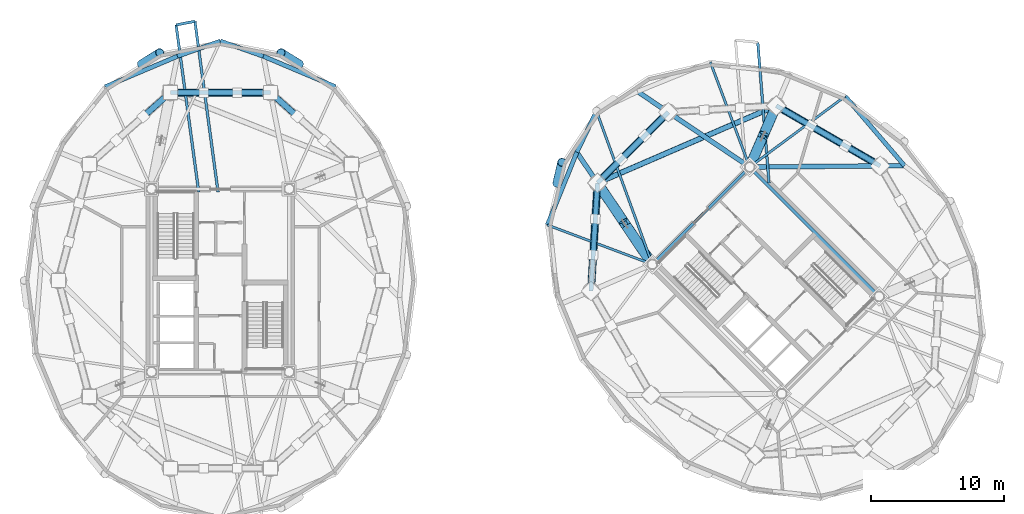
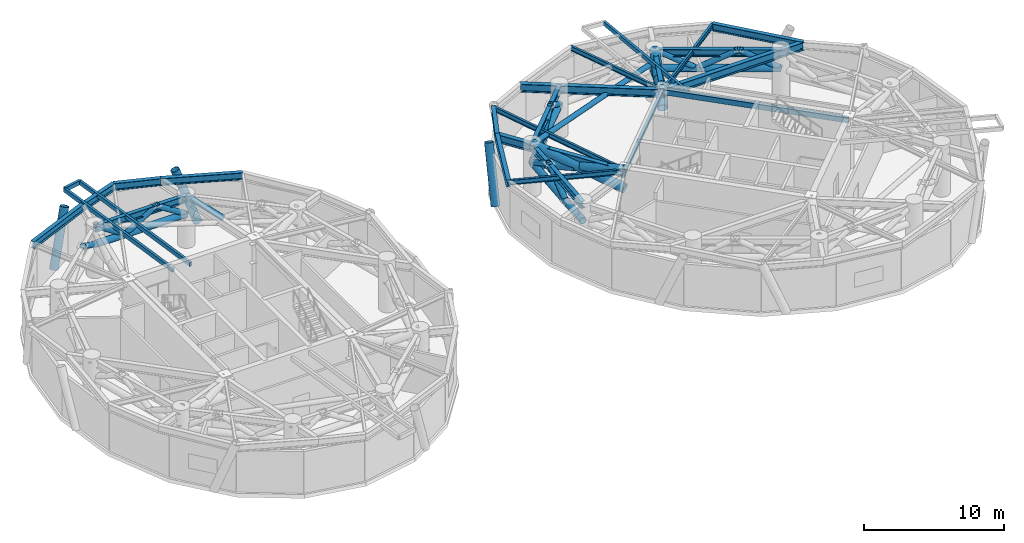
# One storey, part 4 of 16: 27 members, 25 beams.
"""IFC4 building model written with IfcOpenShell, lengths in metres."""

import ifcopenshell
import ifcopenshell.guid

model = None  # the IFC model being written
_history = None  # IfcOwnerHistory: only IFC2X3 demands one
_inside = {}  # id of a spatial element -> (the spatial element, [elements in it])
_under = {}  # id of a project, library or spatial element -> (it, [spatial elements below it])
_declared = {}  # id of a project -> (the project, [libraries it declares])
_typed = {}  # id of a type object -> (the type object, [elements of that type])
_made_of = {}  # id of a material, layer set ... -> (it, [elements and type objects made of it])


def new_model(schema):
    """Start an empty IFC model of exactly this schema.

    Asked for "IFC4X3", IfcOpenShell would pick the latest addendum, in which some entities
    have other attributes; the version numbers below select the first issue.
    IFC2X3 requires an IfcOwnerHistory on every rooted entity: one is made here for all.
    """
    global model, _history
    if schema == "IFC4X3":
        model = ifcopenshell.file(schema_version=(4, 3, 0, 0))
    else:
        model = ifcopenshell.file(schema=schema)
    _inside.clear()
    _under.clear()
    _declared.clear()
    _typed.clear()
    _made_of.clear()
    _history = None
    if model.schema == "IFC2X3":
        org = make("IfcOrganization", Name="unknown")
        user = make(
            "IfcPersonAndOrganization",
            ThePerson=make("IfcPerson", FamilyName="unknown"),
            TheOrganization=org,
        )
        app = make(
            "IfcApplication",
            ApplicationDeveloper=org,
            Version="unknown",
            ApplicationFullName="unknown",
            ApplicationIdentifier="unknown",
        )
        _history = make(
            "IfcOwnerHistory",
            OwningUser=user,
            OwningApplication=app,
            ChangeAction="ADDED",
            CreationDate=0,
        )
    return model


def make(cls, **values):
    """One entity of the class cls with the attributes given. An attribute that is None is left unset."""
    return model.create_entity(
        cls, **{name: value for name, value in values.items() if value is not None}
    )


def rooted(cls, **values):
    """An entity with a GlobalId (a new one), such as an element, a storey or a relation."""
    return make(cls, GlobalId=ifcopenshell.guid.new(), OwnerHistory=_history, **values)


def si_unit(unit_type, name, prefix=None):
    """IfcSIUnit, for example si_unit("LENGTHUNIT", "METRE", prefix="MILLI")."""
    return make("IfcSIUnit", UnitType=unit_type, Prefix=prefix, Name=name)


def assignment(units):
    """IfcUnitAssignment: the units of a project."""
    return None if units is None else make("IfcUnitAssignment", Units=units)


def point(xyz):
    """IfcCartesianPoint."""
    return None if xyz is None else make("IfcCartesianPoint", Coordinates=xyz)


def direction(xyz):
    """IfcDirection."""
    return None if xyz is None else make("IfcDirection", DirectionRatios=xyz)


def frame(location, z_axis=None, x_axis=None):
    """IfcAxis2Placement3D, a coordinate frame: its origin and axes. An axis left out is left unset."""
    return make(
        "IfcAxis2Placement3D",
        Location=point(location),
        Axis=direction(z_axis),
        RefDirection=direction(x_axis),
    )


def frame_2d(location, x_axis=None):
    """IfcAxis2Placement2D, a coordinate frame in the plane: its origin and x axis."""
    return make(
        "IfcAxis2Placement2D", Location=point(location), RefDirection=direction(x_axis)
    )


def origin():
    """The frame at (0, 0, 0) with its axes left unset."""
    return frame((0.0, 0.0, 0.0))


def origin_2d():
    """The frame at (0, 0) in the plane with its x axis left unset."""
    return frame_2d((0.0, 0.0))


def place(relative_to, where):
    """IfcLocalPlacement: puts the frame where relative to a parent placement (None: the world)."""
    return make(
        "IfcLocalPlacement", PlacementRelTo=relative_to, RelativePlacement=where
    )


def context(
    kind, dimensions, precision=None, world=None, true_north=None, identifier=None
):
    """IfcGeometricRepresentationContext, for example the 3D "Model" context."""
    return make(
        "IfcGeometricRepresentationContext",
        ContextIdentifier=identifier,
        ContextType=kind,
        CoordinateSpaceDimension=dimensions,
        Precision=precision,
        WorldCoordinateSystem=world,
        TrueNorth=true_north,
    )


def subcontext(parent, identifier, kind, view, scale=None):
    """IfcGeometricRepresentationSubContext, for example "Body" below "Model"."""
    return make(
        "IfcGeometricRepresentationSubContext",
        ContextIdentifier=identifier,
        ContextType=kind,
        ParentContext=parent,
        TargetScale=scale,
        TargetView=view,
    )


def project(units=None, contexts=None):
    """IfcProject with its units and contexts."""
    return rooted(
        "IfcProject",
        Name="project",
        RepresentationContexts=contexts,
        UnitsInContext=assignment(units),
    )


def spatial(cls, under=None, at=None, **own):
    """A site, building, storey or space (cls), placed at a placement, below another one or the project."""
    s = rooted(cls, ObjectPlacement=at, **own)
    if under is not None:
        _under.setdefault(under.id(), (under, []))[1].append(s)
    return s


def profile(cls, at=None, kind="AREA", **sizes):
    """A parametric profile (cls). Its sizes go by their IFC names, for example OverallWidth=200.0."""
    return make(cls, ProfileType=kind, Position=at, **sizes)


def hollow_rectangle(**sizes):
    """IfcRectangleHollowProfileDef."""
    return profile("IfcRectangleHollowProfileDef", **sizes)


def hollow_circle(**sizes):
    """IfcCircleHollowProfileDef."""
    return profile("IfcCircleHollowProfileDef", **sizes)


def i_section(**sizes):
    """IfcIShapeProfileDef."""
    return profile("IfcIShapeProfileDef", **sizes)


def extrude(swept, where, along, depth):
    """IfcExtrudedAreaSolid: the profile swept, set in the frame where, extruded along a direction by depth."""
    return make(
        "IfcExtrudedAreaSolid",
        SweptArea=swept,
        Position=where,
        ExtrudedDirection=direction(along),
        Depth=depth,
    )


def shape(context_of_items, identifier, shape_type, items):
    """IfcShapeRepresentation: the items that make up one representation, for example the "Body"."""
    return make(
        "IfcShapeRepresentation",
        ContextOfItems=context_of_items,
        RepresentationIdentifier=identifier,
        RepresentationType=shape_type,
        Items=items,
    )


def material(Name=None, Category=None):
    """IfcMaterial."""
    return make("IfcMaterial", Name=Name, Category=Category)


def material_profile(
    of_material, cross_section, Name=None, Category=None, Priority=None
):
    """IfcMaterialProfile: a cross section and its material."""
    return make(
        "IfcMaterialProfile",
        Name=Name,
        Material=of_material,
        Profile=cross_section,
        Priority=Priority,
        Category=Category,
    )


def profile_set(profiles, Name=None, composite=None):
    """IfcMaterialProfileSet."""
    return make(
        "IfcMaterialProfileSet",
        Name=Name,
        MaterialProfiles=profiles,
        CompositeProfile=composite,
    )


def made_of(thing, what):
    """Note that an element or type object is made of a material, layer set ...; save() writes the relation."""
    if what is not None:
        _made_of.setdefault(what.id(), (what, []))[1].append(thing)
    return thing


def type_object(cls, material=None, **own):
    """A type object (cls), such as IfcWallType, which elements share."""
    return made_of(rooted(cls, **own), material)


def element(
    cls,
    number,
    at=None,
    inside=None,
    cuts=None,
    type_object=None,
    material=None,
    context=None,
    identifier="Body",
    shape_type=None,
    held_by="IfcProductDefinitionShape",
    body=None,
    shapes=None,
    **own,
):
    """One element of the class cls, such as IfcWall. Its Tag is "e" and its number.

    at: its placement. inside: the storey or other place that contains it. cuts: it is an
    opening in that element (IfcRelVoidsElement). A single representation is given by context,
    identifier, shape_type and body (its items); several are given by shapes. held_by: the class
    of the entity that holds the representations. save() writes the other relations.
    """
    e = rooted(cls, Tag="e%d" % number, ObjectPlacement=at, **own)
    if body is not None:
        shapes = [shape(context, identifier, shape_type, body)]
    if shapes is not None:
        e.Representation = make(held_by, Representations=shapes)
    if inside is not None:
        _inside.setdefault(inside.id(), (inside, []))[1].append(e)
    if cuts is not None:
        rooted(
            "IfcRelVoidsElement", RelatingBuildingElement=cuts, RelatedOpeningElement=e
        )
    if type_object is not None:
        _typed.setdefault(type_object.id(), (type_object, []))[1].append(e)
    return made_of(e, material)


def aggregate(whole, parts):
    """IfcRelAggregates: a whole, such as a stair, and the parts it consists of."""
    return rooted("IfcRelAggregates", RelatingObject=whole, RelatedObjects=parts)


def save(model, path):
    """Write the relations noted so far, then the file.

    IfcRelAggregates (storeys below a building ...), IfcRelContainedInSpatialStructure (elements
    in a storey), IfcRelDefinesByType, IfcRelAssociatesMaterial and IfcRelDeclares: one each for
    every whole, place, type object, material and project.
    """
    for whole, parts in _under.values():
        aggregate(whole, parts)
    for where, things in _inside.values():
        rooted(
            "IfcRelContainedInSpatialStructure",
            RelatedElements=things,
            RelatingStructure=where,
        )
    for kind, things in _typed.values():
        rooted("IfcRelDefinesByType", RelatedObjects=things, RelatingType=kind)
    for what, things in _made_of.values():
        rooted("IfcRelAssociatesMaterial", RelatedObjects=things, RelatingMaterial=what)
    for by, libraries in _declared.values():
        rooted("IfcRelDeclares", RelatingContext=by, RelatedDefinitions=libraries)
    model.write(path)


model = new_model("IFC4")

# Units and contexts
model_context = context("Model", 3, precision=1e-05, world=origin(), true_north=direction((0.0, 1.0)))
body_context = subcontext(model_context, "Body", "Model", "MODEL_VIEW")
ifc_project = project(units=[si_unit("LENGTHUNIT", "METRE"), si_unit("AREAUNIT", "SQUARE_METRE"), si_unit("VOLUMEUNIT", "CUBIC_METRE"), si_unit("PLANEANGLEUNIT", "RADIAN"), si_unit("MASSUNIT", "GRAM", prefix="KILO")], contexts=[model_context])

# Site, building, storey
site_placement = place(None, origin())
site = spatial("IfcSite", under=ifc_project, at=site_placement, CompositionType="ELEMENT")
building_placement = place(site_placement, origin())
building = spatial("IfcBuilding", under=site, at=building_placement, Name="Cununo Teusaquillo Station Towers", CompositionType="ELEMENT")
storey_placement = place(building_placement, frame((0.0, 0.0, 147.10009765625)))
storey = spatial("IfcBuildingStorey", under=building, at=storey_placement, Name="L46", CompositionType="ELEMENT", Elevation=147.10009765625)

# Beams
ifc_material_1 = material(Name="Steel EN 10025-2 S355J2", Category="steel")
ifc_material_profile_1 = material_profile(ifc_material_1, hollow_rectangle(XDim=0.199951171875, YDim=0.35009765625, WallThickness=0.013916015625, at=origin_2d()), Name="RHS 350x200x14")
ifc_profile_set_1 = profile_set([ifc_material_profile_1], Name="Steel EN 10025-2 S355J2")
beam_type_1 = type_object("IfcBeamType", Name="BM-BAL-CANT", PredefinedType="BEAM", material=ifc_profile_set_1)
beam_1_placement = place(storey_placement, frame((16.325439453125, 31.14990234375, 4.10498046875), z_axis=(-0.13427925042, 0.990943531644, 0.0), x_axis=(-0.990943531644, -0.13427925042, 0.0)))
element("IfcBeam", 1, at=beam_1_placement, inside=storey, type_object=beam_type_1, Name="L46 Tower A Balcony Cantilever Bracket 1A", PredefinedType="BEAM", context=body_context, shape_type="SweptSolid", body=[
    extrude(hollow_rectangle(XDim=0.199951171875, YDim=0.35009765625, WallThickness=0.013916015625, at=origin_2d()), origin(), (0.0, 0.0, 1.0), 12.947021484375),
])
beam_2_placement = place(storey_placement, frame((14.872314453125, 31.14990234375, 4.10498046875), z_axis=(-0.134274846508, 0.990944128392, 0.0), x_axis=(-0.990944128392, -0.134274846508, 0.0)))
element("IfcBeam", 2, at=beam_2_placement, inside=storey, type_object=beam_type_1, Name="L46 Tower A Balcony Cantilever Bracket 1B", PredefinedType="BEAM", context=body_context, shape_type="SweptSolid", body=[
    extrude(hollow_rectangle(XDim=0.199951171875, YDim=0.35009765625, WallThickness=0.013916015625, at=origin_2d()), origin(), (0.0, 0.0, 1.0), 12.671142578125),
])
beam_3_placement = place(storey_placement, frame((57.74853515625, 31.8173828125, 4.10498046875), z_axis=(-0.079442545434, 0.996839446438, 0.0), x_axis=(-0.996839446438, -0.079442545434, 0.0)))
element("IfcBeam", 3, at=beam_3_placement, inside=storey, type_object=beam_type_1, Name="L46 Tower B Balcony Cantilever Bracket 1A", PredefinedType="BEAM", context=body_context, shape_type="SweptSolid", body=[
    extrude(hollow_rectangle(XDim=0.199951171875, YDim=0.35009765625, WallThickness=0.013916015625, at=origin_2d()), origin(), (0.0, 0.0, 1.0), 10.611572265625),
])
ifc_material_2 = material(Name="Steel EN 10025-2 S355J2", Category="steel")
ifc_material_profile_2 = material_profile(ifc_material_2, hollow_rectangle(XDim=0.25, YDim=0.449951171875, WallThickness=0.01611328125, at=origin_2d()), Name="RHS 450x250x16")
ifc_profile_set_2 = profile_set([ifc_material_profile_2], Name="Steel EN 10025-2 S355J2")
beam_type_2 = type_object("IfcBeamType", Name="BM-COUP-1", PredefinedType="USERDEFINED", material=ifc_profile_set_2)
beam_4_placement = place(storey_placement, frame((66.024169921875, 23.29443359375, 4.054931640625), z_axis=(-0.707106781187, 0.707106781187, 0.0), x_axis=(-0.707106781187, -0.707106781187, 0.0)))
element("IfcBeam", 4, at=beam_4_placement, inside=storey, type_object=beam_type_2, Name="L46 Tower B Core Beam 2", ObjectType="COUPLING BEAM", PredefinedType="USERDEFINED", context=body_context, shape_type="SweptSolid", body=[
    extrude(hollow_rectangle(XDim=0.25, YDim=0.449951171875, WallThickness=0.01611328125, at=origin_2d()), origin(), (0.0, 0.0, 1.0), 13.760009765625),
])
ifc_material_3 = material(Name="Steel ASTM A572 Grade 50", Category="steel")
ifc_material_profile_3 = material_profile(ifc_material_3, i_section(OverallWidth=0.180908203125, OverallDepth=0.4169921875, WebThickness=0.010986328125, FlangeThickness=0.018310546875, FilletRadius=0.012939453125, at=origin_2d()), Name="W16X57")
ifc_profile_set_3 = profile_set([ifc_material_profile_3], Name="Steel ASTM A572 Grade 50")
beam_type_3 = type_object("IfcBeamType", Name="BM-JOIST-1", PredefinedType="JOIST", material=ifc_profile_set_3)
beam_5_placement = place(storey_placement, frame((56.29443359375, 33.024169921875, 4.0712890625), z_axis=(0.803848430471, 0.594834179272, 0.0), x_axis=(-0.594834179272, 0.803848430471, 0.0)))
element("IfcBeam", 5, at=beam_5_placement, inside=storey, type_object=beam_type_3, Name="L46 Tower B Radial Spandrel Joist V01", PredefinedType="JOIST", context=body_context, shape_type="SweptSolid", body=[
    extrude(i_section(OverallWidth=0.180908203125, OverallDepth=0.4169921875, WebThickness=0.010986328125, FlangeThickness=0.018310546875, FilletRadius=0.012939453125, at=origin_2d()), origin(), (0.0, 0.0, 1.0), 8.936767578125),
])
beam_6_placement = place(storey_placement, frame((56.29443359375, 33.024169921875, 4.0712890625), z_axis=(-0.351348805076, 0.936244635323, 0.0), x_axis=(-0.936244635323, -0.351348805076, 0.0)))
element("IfcBeam", 6, at=beam_6_placement, inside=storey, type_object=beam_type_3, Name="L46 Tower B Radial Spandrel Joist V03", PredefinedType="JOIST", context=body_context, shape_type="SweptSolid", body=[
    extrude(i_section(OverallWidth=0.180908203125, OverallDepth=0.4169921875, WebThickness=0.010986328125, FlangeThickness=0.018310546875, FilletRadius=0.012939453125, at=origin_2d()), origin(), (0.0, 0.0, 1.0), 8.4287109375),
])
beam_7_placement = place(storey_placement, frame((48.975830078125, 25.70556640625, 4.0712890625), z_axis=(-0.34241791496, 0.939547748395, 0.0), x_axis=(-0.939547748395, -0.34241791496, 0.0)))
element("IfcBeam", 7, at=beam_7_placement, inside=storey, type_object=beam_type_3, Name="L46 Tower B Radial Spandrel Joist V05", PredefinedType="JOIST", context=body_context, shape_type="SweptSolid", body=[
    extrude(i_section(OverallWidth=0.180908203125, OverallDepth=0.4169921875, WebThickness=0.010986328125, FlangeThickness=0.018310546875, FilletRadius=0.012939453125, at=origin_2d()), origin(), (0.0, 0.0, 1.0), 12.25634765625),
])
beam_8_placement = place(storey_placement, frame((48.975830078125, 25.70556640625, 4.0712890625), z_axis=(-0.936244635323, 0.351348805076, 0.0), x_axis=(-0.351348805076, -0.936244635323, 0.0)))
element("IfcBeam", 8, at=beam_8_placement, inside=storey, type_object=beam_type_3, Name="L46 Tower B Radial Spandrel Joist V07", PredefinedType="JOIST", context=body_context, shape_type="SweptSolid", body=[
    extrude(i_section(OverallWidth=0.180908203125, OverallDepth=0.4169921875, WebThickness=0.010986328125, FlangeThickness=0.018310546875, FilletRadius=0.012939453125, at=origin_2d()), origin(), (0.0, 0.0, 1.0), 8.4287109375),
])
ifc_material_4 = material(Name="Steel ASTM A572 Grade 50", Category="steel")
ifc_material_profile_4 = material_profile(ifc_material_4, i_section(OverallWidth=0.2041015625, OverallDepth=0.35009765625, WebThickness=0.008544921875, FlangeThickness=0.01513671875, FilletRadius=0.011962890625, at=origin_2d()), Name="W14X48")
ifc_profile_set_4 = profile_set([ifc_material_profile_4], Name="Steel ASTM A572 Grade 50")
beam_type_4 = type_object("IfcBeamType", Name="BM-LINTEL-1", PredefinedType="LINTEL", material=ifc_profile_set_4)
beam_9_placement = place(storey_placement, frame((48.975830078125, 25.70556640625, 4.10498046875), z_axis=(0.707106781187, 0.707106781187, 0.0), x_axis=(-0.707106781187, 0.707106781187, 0.0)))
element("IfcBeam", 9, at=beam_9_placement, inside=storey, type_object=beam_type_4, Name="L46 Tower B Core Beam 4", PredefinedType="LINTEL", context=body_context, shape_type="SweptSolid", body=[
    extrude(i_section(OverallWidth=0.2041015625, OverallDepth=0.35009765625, WebThickness=0.008544921875, FlangeThickness=0.01513671875, FilletRadius=0.011962890625, at=origin_2d()), origin(), (0.0, 0.0, 1.0), 10.35009765625),
])
ifc_material_5 = material(Name="Steel ASTM A572 Grade 50", Category="steel")
ifc_material_profile_5 = material_profile(ifc_material_5, i_section(OverallWidth=0.35498046875, OverallDepth=0.696044921875, WebThickness=0.015380859375, FlangeThickness=0.02490234375, FilletRadius=0.01806640625, at=origin_2d()), Name="W27X146")
ifc_profile_set_5 = profile_set([ifc_material_profile_5], Name="Steel ASTM A572 Grade 50")
beam_type_5 = type_object("IfcBeamType", Name="BM-PLNT-G1", PredefinedType="BEAM", material=ifc_profile_set_5)
beam_10_placement = place(storey_placement, frame((56.29443359375, 33.024169921875, 3.931884765625), z_axis=(0.999964454788, 0.008431438866, 0.0), x_axis=(-0.008431438866, 0.999964454788, 0.0)))
element("IfcBeam", 10, at=beam_10_placement, inside=storey, type_object=beam_type_5, Name="L46 Tower B Continuous Overhanging Radial Girder 01", PredefinedType="BEAM", context=body_context, shape_type="SweptSolid", body=[
    extrude(i_section(OverallWidth=0.35498046875, OverallDepth=0.696044921875, WebThickness=0.015380859375, FlangeThickness=0.02490234375, FilletRadius=0.01806640625, at=origin_2d()), origin(), (0.0, 0.0, 1.0), 11.640380859375),
])
beam_11_placement = place(storey_placement, frame((56.29443359375, 33.024169921875, 3.931884765625), z_axis=(0.397346986387, 0.917668443616, 0.0), x_axis=(-0.917668443616, 0.397346986387, 0.0)))
element("IfcBeam", 11, at=beam_11_placement, inside=storey, type_object=beam_type_5, Name="L46 Tower B Radial Girder 02A", PredefinedType="BEAM", context=body_context, shape_type="SweptSolid", body=[
    extrude(i_section(OverallWidth=0.35498046875, OverallDepth=0.696044921875, WebThickness=0.015380859375, FlangeThickness=0.02490234375, FilletRadius=0.01806640625, at=origin_2d()), origin(), (0.0, 0.0, 1.0), 5.02490234375),
])
for number, where, z_axis, x_axis, name in (
    (12, (56.29443359375, 33.024169921875, 3.931884765625), (-0.829456923219, 0.558570687133, 0.0), (-0.558570687133, -0.829456923219, 0.0), "L46 Tower B Continuous Overhanging Radial Girder 03"),
    (13, (48.975830078125, 25.70556640625, 3.931884765625), (-0.558570687133, 0.829456923219, 0.0), (-0.829456923219, -0.558570687133, 0.0), "L46 Tower B Continuous Overhanging Radial Girder 04"),
):
    element("IfcBeam", number, at=place(storey_placement, frame(where, z_axis=z_axis, x_axis=x_axis)), inside=storey, type_object=beam_type_5, Name=name, PredefinedType="BEAM", context=body_context, shape_type="SweptSolid", body=[
        extrude(i_section(OverallWidth=0.35498046875, OverallDepth=0.696044921875, WebThickness=0.015380859375, FlangeThickness=0.02490234375, FilletRadius=0.01806640625, at=origin_2d()), origin(), (0.0, 0.0, 1.0), 10.1591796875),
    ])
ifc_material_6 = material(Name="Steel ASTM A572 Grade 50", Category="steel")
ifc_material_profile_6 = material_profile(ifc_material_6, i_section(OverallWidth=0.324951171875, OverallDepth=0.615966796875, WebThickness=0.013916015625, FlangeThickness=0.021484375, FilletRadius=0.01611328125, at=origin_2d()), Name="W24X117")
ifc_profile_set_6 = profile_set([ifc_material_profile_6], Name="Steel ASTM A572 Grade 50")
beam_type_6 = type_object("IfcBeamType", Name="BM-PLNT-G2", PredefinedType="BEAM", material=ifc_profile_set_6)
beam_12_placement = place(storey_placement, frame((20.261474609375, 38.623291015625, 3.971923828125), z_axis=(-1.0, 0.0, 0.0), x_axis=(0.0, -1.0, 0.0)))
element("IfcBeam", 14, at=beam_12_placement, inside=storey, type_object=beam_type_6, Name="L46 Tower A Structural Column Ring Girder 03", PredefinedType="BEAM", context=body_context, shape_type="SweptSolid", body=[
    extrude(i_section(OverallWidth=0.324951171875, OverallDepth=0.615966796875, WebThickness=0.013916015625, FlangeThickness=0.021484375, FilletRadius=0.01611328125, at=origin_2d()), origin(), (0.0, 0.0, 1.0), 7.52294921875),
])
beam_13_placement = place(storey_placement, frame((25.160888671875, 39.05419921875, 3.971923828125), z_axis=(-0.921042081118, 0.38946307246, 0.0), x_axis=(-0.38946307246, -0.921042081118, 0.0)))
element("IfcBeam", 15, at=beam_13_placement, inside=storey, type_object=beam_type_6, Name="L46 Tower A Spandrel Ring Beam 04", PredefinedType="BEAM", context=body_context, shape_type="SweptSolid", body=[
    extrude(i_section(OverallWidth=0.324951171875, OverallDepth=0.615966796875, WebThickness=0.013916015625, FlangeThickness=0.021484375, FilletRadius=0.01611328125, at=origin_2d()), origin(), (0.0, 0.0, 1.0), 5.8974609375),
])
for number, where, z_axis, x_axis, name in (
    (16, (19.72900390625, 41.35107421875, 3.971923828125), (-0.943057449198, 0.332629895698, 0.0), (-0.332629895698, -0.943057449198, 0.0), "L46 Tower A Spandrel Ring Beam 05"),
    (17, (16.5, 42.489990234375, 3.971923828125), (-0.943057449198, -0.332629895698, 0.0), (0.332629895698, -0.943057449198, 0.0), "L46 Tower A Spandrel Ring Beam 06"),
):
    element("IfcBeam", number, at=place(storey_placement, frame(where, z_axis=z_axis, x_axis=x_axis)), inside=storey, type_object=beam_type_6, Name=name, PredefinedType="BEAM", context=body_context, shape_type="SweptSolid", body=[
        extrude(i_section(OverallWidth=0.324951171875, OverallDepth=0.615966796875, WebThickness=0.013916015625, FlangeThickness=0.021484375, FilletRadius=0.01611328125, at=origin_2d()), origin(), (0.0, 0.0, 1.0), 3.424072265625),
    ])
beam_14_placement = place(storey_placement, frame((13.27099609375, 41.35107421875, 3.971923828125), z_axis=(-0.921042081118, -0.38946307246, 0.0), x_axis=(0.38946307246, -0.921042081118, 0.0)))
element("IfcBeam", 18, at=beam_14_placement, inside=storey, type_object=beam_type_6, Name="L46 Tower A Spandrel Ring Beam 07", PredefinedType="BEAM", context=body_context, shape_type="SweptSolid", body=[
    extrude(i_section(OverallWidth=0.324951171875, OverallDepth=0.615966796875, WebThickness=0.013916015625, FlangeThickness=0.021484375, FilletRadius=0.01611328125, at=origin_2d()), origin(), (0.0, 0.0, 1.0), 5.8974609375),
])
beam_15_placement = place(storey_placement, frame((66.10693359375, 33.10693359375, 3.971923828125), z_axis=(-0.865267103202, 0.501311121078, 0.0), x_axis=(-0.501311121078, -0.865267103202, 0.0)))
element("IfcBeam", 19, at=beam_15_placement, inside=storey, type_object=beam_type_6, Name="L46 Tower B Structural Column Ring Girder 01", PredefinedType="BEAM", context=body_context, shape_type="SweptSolid", body=[
    extrude(i_section(OverallWidth=0.324951171875, OverallDepth=0.615966796875, WebThickness=0.013916015625, FlangeThickness=0.021484375, FilletRadius=0.01611328125, at=origin_2d()), origin(), (0.0, 0.0, 1.0), 9.032958984375),
])
beam_16_placement = place(storey_placement, frame((50.173095703125, 37.146240234375, 3.971923828125), z_axis=(-0.707106781187, -0.707106781187, 0.0), x_axis=(0.707106781187, -0.707106781187, 0.0)))
element("IfcBeam", 20, at=beam_16_placement, inside=storey, type_object=beam_type_6, Name="L46 Tower B Structural Column Ring Girder 03", PredefinedType="BEAM", context=body_context, shape_type="SweptSolid", body=[
    extrude(i_section(OverallWidth=0.324951171875, OverallDepth=0.615966796875, WebThickness=0.013916015625, FlangeThickness=0.021484375, FilletRadius=0.01611328125, at=origin_2d()), origin(), (0.0, 0.0, 1.0), 7.522705078125),
])
beam_17_placement = place(storey_placement, frame((44.853759765625, 31.826904296875, 3.971923828125), z_axis=(-0.06012979176, -0.998190567048, 0.0), x_axis=(0.998190567048, -0.06012979176, 0.0)))
element("IfcBeam", 21, at=beam_17_placement, inside=storey, type_object=beam_type_6, Name="L46 Tower B Structural Column Ring Girder 04", PredefinedType="BEAM", context=body_context, shape_type="SweptSolid", body=[
    extrude(i_section(OverallWidth=0.324951171875, OverallDepth=0.615966796875, WebThickness=0.013916015625, FlangeThickness=0.021484375, FilletRadius=0.01611328125, at=origin_2d()), origin(), (0.0, 0.0, 1.0), 8.132568359375),
])
beam_18_placement = place(storey_placement, frame((67.934326171875, 33.122314453125, 3.971923828125), z_axis=(-0.64941898982, 0.760430782952, 0.0), x_axis=(-0.760430782952, -0.64941898982, 0.0)))
element("IfcBeam", 22, at=beam_18_placement, inside=storey, type_object=beam_type_6, Name="L46 Tower B Spandrel Ring Beam 01", PredefinedType="BEAM", context=body_context, shape_type="SweptSolid", body=[
    extrude(i_section(OverallWidth=0.324951171875, OverallDepth=0.615966796875, WebThickness=0.013916015625, FlangeThickness=0.021484375, FilletRadius=0.01611328125, at=origin_2d()), origin(), (0.0, 0.0, 1.0), 6.861572265625),
])
beam_19_placement = place(storey_placement, frame((44.779052734375, 37.220947265625, 3.971923828125), z_axis=(-0.431574069634, -0.902077503555, 0.0), x_axis=(0.902077503555, -0.431574069634, 0.0)))
element("IfcBeam", 23, at=beam_19_placement, inside=storey, type_object=beam_type_6, Name="L46 Tower B Spandrel Ring Beam 06", PredefinedType="BEAM", context=body_context, shape_type="SweptSolid", body=[
    extrude(i_section(OverallWidth=0.324951171875, OverallDepth=0.615966796875, WebThickness=0.013916015625, FlangeThickness=0.021484375, FilletRadius=0.01611328125, at=origin_2d()), origin(), (0.0, 0.0, 1.0), 3.424072265625),
])
beam_20_placement = place(storey_placement, frame((43.30126953125, 34.132080078125, 3.971923828125), z_axis=(-0.375882869104, -0.926667183359, 0.0), x_axis=(0.926667183359, -0.375882869104, 0.0)))
element("IfcBeam", 24, at=beam_20_placement, inside=storey, type_object=beam_type_6, Name="L46 Tower B Spandrel Ring Beam 07", PredefinedType="BEAM", context=body_context, shape_type="SweptSolid", body=[
    extrude(i_section(OverallWidth=0.324951171875, OverallDepth=0.615966796875, WebThickness=0.013916015625, FlangeThickness=0.021484375, FilletRadius=0.01611328125, at=origin_2d()), origin(), (0.0, 0.0, 1.0), 5.8974609375),
])
ifc_material_7 = material(Name="Steel EN 10025-2 S355J2", Category="steel")
ifc_material_profile_7 = material_profile(ifc_material_7, hollow_rectangle(XDim=0.199951171875, YDim=0.35009765625, WallThickness=0.013916015625, at=origin_2d()), Name="RHS 350x200x14")
ifc_profile_set_7 = profile_set([ifc_material_profile_7], Name="Steel EN 10025-2 S355J2")
beam_type_7 = type_object("IfcBeamType", Name="BM-STAIR-TRIM", PredefinedType="BEAM", material=ifc_profile_set_7)
beam_21_placement = place(storey_placement, frame((14.5869140625, 43.979736328125, 4.114990234375), z_axis=(-0.981861262275, -0.189600795474, 0.0), x_axis=(0.189600795474, -0.981861262275, 0.0)))
element("IfcBeam", 25, at=beam_21_placement, inside=storey, type_object=beam_type_7, Name="L46 Tower A Balcony Edge Trimmer Beam 1", PredefinedType="BEAM", context=body_context, shape_type="SweptSolid", body=[
    extrude(hollow_rectangle(XDim=0.199951171875, YDim=0.35009765625, WallThickness=0.013916015625, at=origin_2d()), origin(), (0.0, 0.0, 1.0), 1.442138671875),
])

# Members
ifc_material_8 = material(Name="Steel EN 10025-2 S355J2", Category="steel")
ifc_material_profile_8 = material_profile(ifc_material_8, hollow_circle(Radius=0.279541015625, WallThickness=0.02001953125, at=origin_2d()), Name="CHS 559x20")
ifc_profile_set_8 = profile_set([ifc_material_profile_8], Name="Steel EN 10025-2 S355J2")
member_type_1 = type_object("IfcMemberType", Name="MBR-BELT-CH", PredefinedType="CHORD", material=ifc_profile_set_8)
member_1_placement = place(storey_placement, frame((20.261474609375, 38.623291015625, 2.579833984375), z_axis=(-1.0, 0.0, 0.0), x_axis=(0.0, -1.0, 0.0)))
element("IfcMember", 26, at=member_1_placement, inside=storey, type_object=member_type_1, Name="L46 Tower A Belt Truss Lower Chord 03", PredefinedType="CHORD", context=body_context, shape_type="SweptSolid", body=[
    extrude(hollow_circle(Radius=0.279541015625, WallThickness=0.02001953125, at=origin_2d()), origin(), (0.0, 0.0, 1.0), 7.52294921875),
])
member_2_placement = place(storey_placement, frame((66.10693359375, 33.10693359375, 2.579833984375), z_axis=(-0.865267103202, 0.501311121078, 0.0), x_axis=(-0.501311121078, -0.865267103202, 0.0)))
element("IfcMember", 27, at=member_2_placement, inside=storey, type_object=member_type_1, Name="L46 Tower B Belt Truss Lower Chord 01", PredefinedType="CHORD", context=body_context, shape_type="SweptSolid", body=[
    extrude(hollow_circle(Radius=0.279541015625, WallThickness=0.02001953125, at=origin_2d()), origin(), (0.0, 0.0, 1.0), 9.032958984375),
])
member_3_placement = place(storey_placement, frame((50.173095703125, 37.146240234375, 2.579833984375), z_axis=(-0.707106781187, -0.707106781187, 0.0), x_axis=(0.707106781187, -0.707106781187, 0.0)))
element("IfcMember", 28, at=member_3_placement, inside=storey, type_object=member_type_1, Name="L46 Tower B Belt Truss Lower Chord 03", PredefinedType="CHORD", context=body_context, shape_type="SweptSolid", body=[
    extrude(hollow_circle(Radius=0.279541015625, WallThickness=0.02001953125, at=origin_2d()), origin(), (0.0, 0.0, 1.0), 7.522705078125),
])
member_4_placement = place(storey_placement, frame((44.853759765625, 31.826904296875, 2.579833984375), z_axis=(-0.06012979176, -0.998190567048, 0.0), x_axis=(0.998190567048, -0.06012979176, 0.0)))
element("IfcMember", 29, at=member_4_placement, inside=storey, type_object=member_type_1, Name="L46 Tower B Belt Truss Lower Chord 04", PredefinedType="CHORD", context=body_context, shape_type="SweptSolid", body=[
    extrude(hollow_circle(Radius=0.279541015625, WallThickness=0.02001953125, at=origin_2d()), origin(), (0.0, 0.0, 1.0), 8.132568359375),
])
ifc_material_9 = material(Name="Steel EN 10025-2 S355J2", Category="steel")
ifc_material_profile_9 = material_profile(ifc_material_9, hollow_circle(Radius=0.228515625, WallThickness=0.01611328125, at=origin_2d()), Name="CHS 457x16")
ifc_profile_set_9 = profile_set([ifc_material_profile_9], Name="Steel EN 10025-2 S355J2")
member_type_2 = type_object("IfcMemberType", Name="MBR-BELT-WB", PredefinedType="BRACE", material=ifc_profile_set_9)
member_5_placement = place(storey_placement, frame((22.2900390625, 36.824951171875, 2.579833984375), z_axis=(-0.642327845632, 0.569429162465, 0.512996459696), x_axis=(-0.66336826295, -0.748293089445, 0.0)))
element("IfcMember", 30, at=member_5_placement, inside=storey, type_object=member_type_2, Name="L46 Tower A Belt Truss Warren Brace 02C", PredefinedType="BRACE", context=body_context, shape_type="SweptSolid", body=[
    extrude(hollow_circle(Radius=0.228515625, WallThickness=0.01611328125, at=origin_2d()), origin(), (0.0, 0.0, 1.0), 3.158203125),
])
member_6_placement = place(storey_placement, frame((20.261474609375, 38.623291015625, 2.579833984375), z_axis=(-0.83994075453, 0.0, 0.54267810798), x_axis=(0.0, -1.0, 0.0)))
element("IfcMember", 31, at=member_6_placement, inside=storey, type_object=member_type_2, Name="L46 Tower A Belt Truss Warren Brace 03A", PredefinedType="BRACE", context=body_context, shape_type="SweptSolid", body=[
    extrude(hollow_circle(Radius=0.228515625, WallThickness=0.01611328125, at=origin_2d()), origin(), (0.0, 0.0, 1.0), 2.9853515625),
])
member_7_placement = place(storey_placement, frame((17.75390625, 38.623291015625, 4.199951171875), z_axis=(-0.8399648356, 0.0, -0.542640834213), x_axis=(0.0, -1.0, 0.0)))
element("IfcMember", 32, at=member_7_placement, inside=storey, type_object=member_type_2, Name="L46 Tower A Belt Truss Warren Brace 03B", PredefinedType="BRACE", context=body_context, shape_type="SweptSolid", body=[
    extrude(hollow_circle(Radius=0.228515625, WallThickness=0.01611328125, at=origin_2d()), origin(), (0.0, 0.0, 1.0), 2.985595703125),
])
member_8_placement = place(storey_placement, frame((15.24609375, 38.623291015625, 2.579833984375), z_axis=(-0.83994075453, 0.0, 0.54267810798), x_axis=(0.0, -1.0, 0.0)))
element("IfcMember", 33, at=member_8_placement, inside=storey, type_object=member_type_2, Name="L46 Tower A Belt Truss Warren Brace 03C", PredefinedType="BRACE", context=body_context, shape_type="SweptSolid", body=[
    extrude(hollow_circle(Radius=0.228515625, WallThickness=0.01611328125, at=origin_2d()), origin(), (0.0, 0.0, 1.0), 2.9853515625),
])
member_9_placement = place(storey_placement, frame((12.738525390625, 38.623291015625, 2.579833984375), z_axis=(-0.642327845632, -0.569429162465, 0.512996459696), x_axis=(0.66336826295, -0.748293089445, 0.0)))
element("IfcMember", 34, at=member_9_placement, inside=storey, type_object=member_type_2, Name="L46 Tower A Belt Truss Warren Brace 04A", PredefinedType="BRACE", context=body_context, shape_type="SweptSolid", body=[
    extrude(hollow_circle(Radius=0.228515625, WallThickness=0.01611328125, at=origin_2d()), origin(), (0.0, 0.0, 1.0), 3.158203125),
])
member_10_placement = place(storey_placement, frame((66.10693359375, 33.10693359375, 2.579833984375), z_axis=(-0.761949542579, 0.441489459448, 0.47383536356), x_axis=(-0.50134308018, -0.86524858622, 0.0)))
element("IfcMember", 35, at=member_10_placement, inside=storey, type_object=member_type_2, Name="L46 Tower B Belt Truss Warren Brace 01A", PredefinedType="BRACE", context=body_context, shape_type="SweptSolid", body=[
    extrude(hollow_circle(Radius=0.228515625, WallThickness=0.01611328125, at=origin_2d()), origin(), (0.0, 0.0, 1.0), 3.419189453125),
])
member_11_placement = place(storey_placement, frame((63.501708984375, 34.616455078125, 4.199951171875), z_axis=(-0.761973561476, 0.441431970485, -0.473850300249), x_axis=(-0.501282372441, -0.865283758706, 0.0)))
element("IfcMember", 36, at=member_11_placement, inside=storey, type_object=member_type_2, Name="L46 Tower B Belt Truss Warren Brace 01B", PredefinedType="BRACE", context=body_context, shape_type="SweptSolid", body=[
    extrude(hollow_circle(Radius=0.228515625, WallThickness=0.01611328125, at=origin_2d()), origin(), (0.0, 0.0, 1.0), 3.4189453125),
])
member_12_placement = place(storey_placement, frame((60.896484375, 36.125732421875, 2.579833984375), z_axis=(-0.761979489221, 0.441465440579, 0.473809584939), x_axis=(-0.501307909048, -0.865268964153, 0.0)))
element("IfcMember", 37, at=member_12_placement, inside=storey, type_object=member_type_2, Name="L46 Tower B Belt Truss Warren Brace 01C", PredefinedType="BRACE", context=body_context, shape_type="SweptSolid", body=[
    extrude(hollow_circle(Radius=0.228515625, WallThickness=0.01611328125, at=origin_2d()), origin(), (0.0, 0.0, 1.0), 3.41943359375),
])
member_13_placement = place(storey_placement, frame((50.173095703125, 37.146240234375, 2.579833984375), z_axis=(-0.593964025737, -0.593882246304, 0.542688320913), x_axis=(0.707058097461, -0.707155461561, 0.0)))
element("IfcMember", 38, at=member_13_placement, inside=storey, type_object=member_type_2, Name="L46 Tower B Belt Truss Warren Brace 03A", PredefinedType="BRACE", context=body_context, shape_type="SweptSolid", body=[
    extrude(hollow_circle(Radius=0.228515625, WallThickness=0.01611328125, at=origin_2d()), origin(), (0.0, 0.0, 1.0), 2.9853515625),
])
member_14_placement = place(storey_placement, frame((48.39990234375, 35.373291015625, 4.199951171875), z_axis=(-0.593935178592, -0.593935178592, -0.542661964083), x_axis=(0.707106781187, -0.707106781187, 0.0)))
element("IfcMember", 39, at=member_14_placement, inside=storey, type_object=member_type_2, Name="L46 Tower B Belt Truss Warren Brace 03B", PredefinedType="BRACE", context=body_context, shape_type="SweptSolid", body=[
    extrude(hollow_circle(Radius=0.228515625, WallThickness=0.01611328125, at=origin_2d()), origin(), (0.0, 0.0, 1.0), 2.985595703125),
])
member_15_placement = place(storey_placement, frame((46.626708984375, 33.60009765625, 2.579833984375), z_axis=(-0.593882246304, -0.593964025737, 0.542688320913), x_axis=(0.707155461561, -0.707058097461, 0.0)))
element("IfcMember", 40, at=member_15_placement, inside=storey, type_object=member_type_2, Name="L46 Tower B Belt Truss Warren Brace 03C", PredefinedType="BRACE", context=body_context, shape_type="SweptSolid", body=[
    extrude(hollow_circle(Radius=0.228515625, WallThickness=0.01611328125, at=origin_2d()), origin(), (0.0, 0.0, 1.0), 2.9853515625),
])
for number, where, z_axis, x_axis, name in (
    (41, (44.853759765625, 31.826904296875, 2.579833984375), (-0.051639195317, -0.856839582173, 0.512990569045), (0.998188873423, -0.060157900347, 0.0), "L46 Tower B Belt Truss Warren Brace 04A"),
    (42, (44.690673828125, 29.120849609375, 4.199951171875), (-0.051562096811, -0.856843000073, -0.512992615345), (0.998194277232, -0.060068168794, 0.0), "L46 Tower B Belt Truss Warren Brace 04B"),
):
    element("IfcMember", number, at=place(storey_placement, frame(where, z_axis=z_axis, x_axis=x_axis)), inside=storey, type_object=member_type_2, Name=name, PredefinedType="BRACE", context=body_context, shape_type="SweptSolid", body=[
        extrude(hollow_circle(Radius=0.228515625, WallThickness=0.01611328125, at=origin_2d()), origin(), (0.0, 0.0, 1.0), 3.158203125),
    ])
ifc_material_10 = material(Name="Steel EN 10025-2 S355J2", Category="steel")
ifc_material_profile_10 = material_profile(ifc_material_10, hollow_circle(Radius=0.202880859375, WallThickness=0.01611328125, at=origin_2d()), Name="CHS 406x16")
ifc_profile_set_10 = profile_set([ifc_material_profile_10], Name="Steel EN 10025-2 S355J2")
member_type_3 = type_object("IfcMemberType", Name="MBR-BRG-WB", PredefinedType="BRACE", material=ifc_profile_set_10)
member_16_placement = place(storey_placement, frame((58.291015625, 37.63525390625, 3.14990234375), z_axis=(-0.915738635239, -0.395834551336, 0.068831387452), x_axis=(0.396775580971, -0.917915648818, 0.0)))
element("IfcMember", 43, at=member_16_placement, inside=storey, type_object=member_type_3, Name="L46 Tower B Bridge Zone Tie Brace 1", PredefinedType="BRACE", context=body_context, shape_type="SweptSolid", body=[
    extrude(hollow_circle(Radius=0.202880859375, WallThickness=0.01611328125, at=origin_2d()), origin(), (0.0, 0.0, 1.0), 14.673583984375),
])
ifc_material_11 = material(Name="Steel EN 10025-2 S355J2", Category="steel")
ifc_material_profile_11 = material_profile(ifc_material_11, hollow_circle(Radius=0.330078125, WallThickness=0.02490234375, at=origin_2d()), Name="CHS 660x25")
ifc_profile_set_11 = profile_set([ifc_material_profile_11], Name="Steel EN 10025-2 S355J2")
member_type_4 = type_object("IfcMemberType", Name="MBR-DIAG-Z2", PredefinedType="BRACE", material=ifc_profile_set_11)
for number, where, z_axis, x_axis, name in (
    (44, (22.422607421875, 40.7578125, -0.14013671875), (-0.286420308826, 0.178195516671, 0.941387149121), (-0.528255801217, -0.849085277508, 0.0), "L46 Tower A Folded-Zigzag Diagrid Tube C03"),
    (45, (10.577392578125, 40.7578125, -0.14013671875), (0.286420308826, 0.178195516671, 0.941387149121), (-0.528255801217, 0.849085277508, 0.0), "L46 Tower A Folded-Zigzag Diagrid Tube C06"),
):
    element("IfcMember", number, at=place(storey_placement, frame(where, z_axis=z_axis, x_axis=x_axis)), inside=storey, type_object=member_type_4, Name=name, PredefinedType="BRACE", context=body_context, shape_type="SweptSolid", body=[
        extrude(hollow_circle(Radius=0.330078125, WallThickness=0.02490234375, at=origin_2d()), origin(), (0.0, 0.0, 1.0), 4.7802734375),
    ])
member_17_placement = place(storey_placement, frame((41.816162109375, 31.80810546875, -0.14013671875), z_axis=(0.076508949241, 0.328508385528, 0.941397164497), x_axis=(-0.973934946647, 0.226827510895, 0.0)))
element("IfcMember", 46, at=member_17_placement, inside=storey, type_object=member_type_4, Name="L46 Tower B Folded-Zigzag Diagrid Tube C06", PredefinedType="BRACE", context=body_context, shape_type="SweptSolid", body=[
    extrude(hollow_circle(Radius=0.330078125, WallThickness=0.02490234375, at=origin_2d()), origin(), (0.0, 0.0, 1.0), 4.780029296875),
])
ifc_material_12 = material(Name="Steel EN 10025-2 S355J2", Category="steel")
ifc_material_profile_12 = material_profile(ifc_material_12, hollow_circle(Radius=0.3798828125, WallThickness=0.031982421875, at=origin_2d()), Name="CHS 760x32")
ifc_profile_set_12 = profile_set([ifc_material_profile_12], Name="Steel EN 10025-2 S355J2")
member_type_5 = type_object("IfcMemberType", Name="MBR-OUTR-1", PredefinedType="STRUT", material=ifc_profile_set_12)
member_18_placement = place(storey_placement, frame((48.975830078125, 25.70556640625, 2.579833984375), z_axis=(-0.545565256913, 0.810172807781, 0.214426145752), x_axis=(-0.829466017323, -0.558557182486, 0.0)))
element("IfcMember", 47, at=member_18_placement, inside=storey, type_object=member_type_5, Name="L46 Tower B Outrigger Continuous Diagonal 1A", PredefinedType="STRUT", context=body_context, shape_type="SweptSolid", body=[
    extrude(hollow_circle(Radius=0.3798828125, WallThickness=0.031982421875, at=origin_2d()), origin(), (0.0, 0.0, 1.0), 7.5556640625),
])
member_19_placement = place(storey_placement, frame((48.975830078125, 25.70556640625, 4.199951171875), z_axis=(-0.545584167049, 0.810164194429, -0.214410575136), x_axis=(-0.829454296161, -0.558574588198, 0.0)))
element("IfcMember", 48, at=member_19_placement, inside=storey, type_object=member_type_5, Name="L46 Tower B Outrigger Split Upper Strut 1B1", PredefinedType="STRUT", context=body_context, shape_type="SweptSolid", body=[
    extrude(hollow_circle(Radius=0.3798828125, WallThickness=0.031982421875, at=origin_2d()), origin(), (0.0, 0.0, 1.0), 3.537841796875),
])
member_20_placement = place(storey_placement, frame((46.78369140625, 28.960693359375, 3.33837890625), z_axis=(-0.545535696762, 0.810194697026, -0.214418647671), x_axis=(-0.829487029947, -0.558525977149, 0.0)))
element("IfcMember", 49, at=member_20_placement, inside=storey, type_object=member_type_5, Name="L46 Tower B Outrigger Split Lower Strut 1B2", PredefinedType="STRUT", context=body_context, shape_type="SweptSolid", body=[
    extrude(hollow_circle(Radius=0.3798828125, WallThickness=0.031982421875, at=origin_2d()), origin(), (0.0, 0.0, 1.0), 3.53759765625),
])
member_21_placement = place(storey_placement, frame((56.29443359375, 33.024169921875, 2.579833984375), z_axis=(0.37817570547, 0.873392583665, 0.306868914343), x_axis=(-0.917668443616, 0.397346986387, 0.0)))
element("IfcMember", 50, at=member_21_placement, inside=storey, type_object=member_type_5, Name="L46 Tower B Outrigger Continuous Diagonal 2A", PredefinedType="STRUT", context=body_context, shape_type="SweptSolid", body=[
    extrude(hollow_circle(Radius=0.3798828125, WallThickness=0.031982421875, at=origin_2d()), origin(), (0.0, 0.0, 1.0), 5.279541015625),
])
member_22_placement = place(storey_placement, frame((56.29443359375, 33.024169921875, 4.199951171875), z_axis=(0.378156220238, 0.873411662832, -0.306838622609), x_axis=(-0.917679073326, 0.39732243629, 0.0)))
element("IfcMember", 51, at=member_22_placement, inside=storey, type_object=member_type_5, Name="L46 Tower B Outrigger Split Upper Strut 2B1", PredefinedType="STRUT", context=body_context, shape_type="SweptSolid", body=[
    extrude(hollow_circle(Radius=0.3798828125, WallThickness=0.031982421875, at=origin_2d()), origin(), (0.0, 0.0, 1.0), 2.399658203125),
])
member_23_placement = place(storey_placement, frame((57.383544921875, 35.539306640625, 3.31640625), z_axis=(0.378144413998, 0.873384394451, -0.30693077671), x_axis=(-0.917679073326, 0.39732243629, 0.0)))
element("IfcMember", 52, at=member_23_placement, inside=storey, type_object=member_type_5, Name="L46 Tower B Outrigger Split Lower Strut 2B2", PredefinedType="STRUT", context=body_context, shape_type="SweptSolid", body=[
    extrude(hollow_circle(Radius=0.3798828125, WallThickness=0.031982421875, at=origin_2d()), origin(), (0.0, 0.0, 1.0), 2.39990234375),
])

save(model, "model.ifc")
